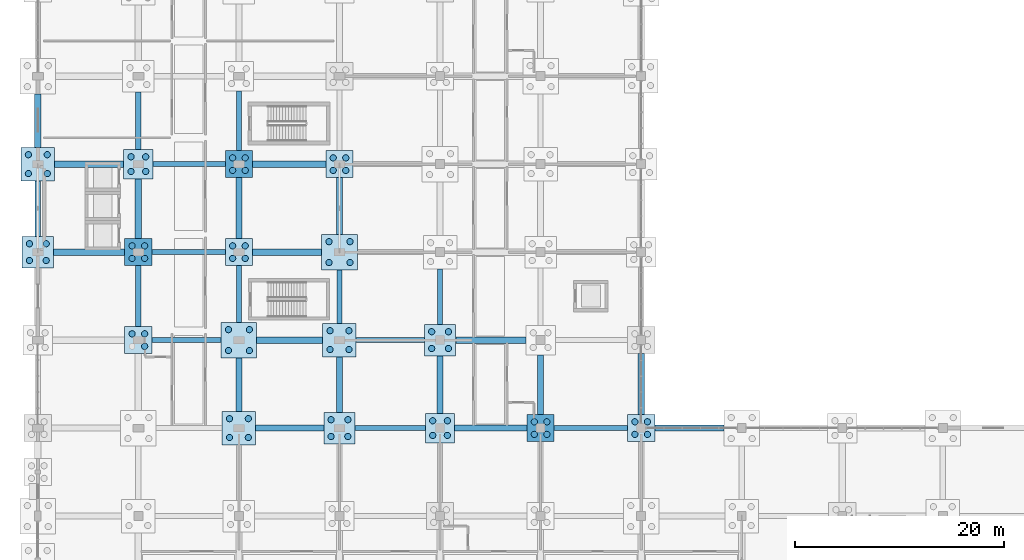
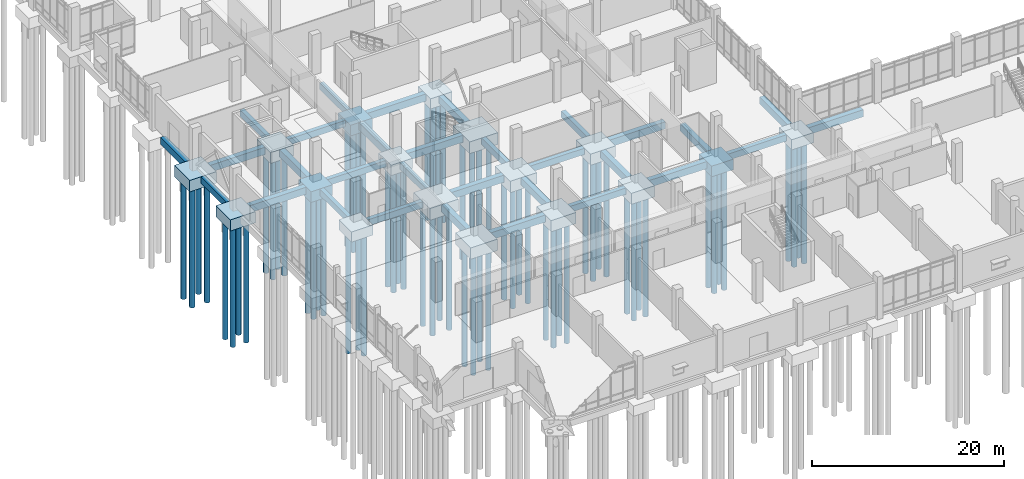
# One storey, part 3 of 136: 67 piles, 48 footings.
"""IFC4 building model written with IfcOpenShell, lengths in metres."""

from ifc_helpers import new_model, si_unit, direction, frame, origin, origin_2d, place, context, subcontext, project, spatial, rectangle, circle, extrude, material, material_profile, profile_set, type_object, element, save


model = new_model("IFC4")

# Units and contexts
model_context = context("Model", 3, precision=1e-05, world=origin(), true_north=direction((0.0, 1.0)))
body_context = subcontext(model_context, "Body", "Model", "MODEL_VIEW")
ifc_project = project(units=[si_unit("LENGTHUNIT", "METRE"), si_unit("AREAUNIT", "SQUARE_METRE"), si_unit("VOLUMEUNIT", "CUBIC_METRE"), si_unit("PLANEANGLEUNIT", "RADIAN"), si_unit("MASSUNIT", "GRAM", prefix="KILO")], contexts=[model_context])

# Site, building, storey
site_placement = place(None, origin())
site = spatial("IfcSite", under=ifc_project, at=site_placement, CompositionType="ELEMENT")
building_placement = place(site_placement, origin())
building = spatial("IfcBuilding", under=site, at=building_placement, Name="Oolite Switchyard Hospital", CompositionType="ELEMENT")
storey_placement = place(building_placement, origin())
storey = spatial("IfcBuildingStorey", under=building, at=storey_placement, Name="L00", CompositionType="ELEMENT", Elevation=0.0)

# Footings
ifc_material = material(Name="Concrete C40/50", Category="concrete")
footing_type_1 = type_object("IfcFootingType", Name="FTG-GB500X800", PredefinedType="FOOTING_BEAM", material=ifc_material)
footing_1_placement = place(storey_placement, frame((33.64990234375, 33.60009765625, -1.14990234375), z_axis=(0.0, 0.0, 1.0), x_axis=(1.0, 0.0, 0.0)))
element("IfcFooting", 1, at=footing_1_placement, inside=storey, type_object=footing_type_1, Name="L00 Grade Beam 60", PredefinedType="FOOTING_BEAM", context=body_context, shape_type="SweptSolid", body=[
    extrude(rectangle(XDim=6.699951171875, YDim=0.5, at=origin_2d()), origin(), (0.0, 0.0, 1.0), 0.800048828125),
])
footing_2_placement = place(storey_placement, frame((52.800048828125, 33.60009765625, -1.14990234375), z_axis=(0.0, 0.0, 1.0), x_axis=(1.0, 0.0, 0.0)))
element("IfcFooting", 2, at=footing_2_placement, inside=storey, type_object=footing_type_1, Name="L00 Grade Beam 62", PredefinedType="FOOTING_BEAM", context=body_context, shape_type="SweptSolid", body=[
    extrude(rectangle(XDim=7.0, YDim=0.5, at=origin_2d()), origin(), (0.0, 0.0, 1.0), 0.800048828125),
])
footing_3_placement = place(storey_placement, frame((14.199951171875, 42.0, -1.14990234375), z_axis=(0.0, 0.0, 1.0), x_axis=(1.0, 0.0, 0.0)))
element("IfcFooting", 3, at=footing_3_placement, inside=storey, type_object=footing_type_1, Name="L00 Grade Beam 74", PredefinedType="FOOTING_BEAM", context=body_context, shape_type="SweptSolid", body=[
    extrude(rectangle(XDim=6.60009765625, YDim=0.5, at=origin_2d()), origin(), (0.0, 0.0, 1.0), 0.800048828125),
])
footing_4_placement = place(storey_placement, frame((33.64990234375, 42.0, -1.14990234375), z_axis=(0.0, 0.0, 1.0), x_axis=(1.0, 0.0, 0.0)))
element("IfcFooting", 4, at=footing_4_placement, inside=storey, type_object=footing_type_1, Name="L00 Grade Beam 76", PredefinedType="FOOTING_BEAM", context=body_context, shape_type="SweptSolid", body=[
    extrude(rectangle(XDim=6.5, YDim=0.5, at=origin_2d()), origin(), (0.0, 0.0, 1.0), 0.800048828125),
])
footing_5_placement = place(storey_placement, frame((14.39990234375, 50.39990234375, -1.14990234375), z_axis=(0.0, 0.0, 1.0), x_axis=(1.0, 0.0, 0.0)))
element("IfcFooting", 5, at=footing_5_placement, inside=storey, type_object=footing_type_1, Name="L00 Grade Beam 84", PredefinedType="FOOTING_BEAM", context=body_context, shape_type="SweptSolid", body=[
    extrude(rectangle(XDim=7.0, YDim=0.5, at=origin_2d()), origin(), (0.0, 0.0, 1.0), 0.800048828125),
])
footing_6_placement = place(storey_placement, frame((14.449951171875, 58.800048828125, -1.14990234375), z_axis=(0.0, 0.0, 1.0), x_axis=(1.0, 0.0, 0.0)))
element("IfcFooting", 6, at=footing_6_placement, inside=storey, type_object=footing_type_1, Name="L00 Grade Beam 96", PredefinedType="FOOTING_BEAM", context=body_context, shape_type="SweptSolid", body=[
    extrude(rectangle(XDim=6.89990234375, YDim=0.5, at=origin_2d()), origin(), (0.0, 0.0, 1.0), 0.800048828125),
])
footing_7_placement = place(storey_placement, frame((0.0, 54.550048828125, -1.14990234375), z_axis=(0.0, 0.0, 1.0), x_axis=(0.0, 1.0, 0.0)))
element("IfcFooting", 7, at=footing_7_placement, inside=storey, type_object=footing_type_1, Name="L00 Grade Beam 271", PredefinedType="FOOTING_BEAM", context=body_context, shape_type="SweptSolid", body=[
    extrude(rectangle(XDim=5.300048828125, YDim=0.5, at=origin_2d()), origin(), (0.0, 0.0, 1.0), 0.800048828125),
])
footing_8_placement = place(storey_placement, frame((9.60009765625, 46.199951171875, -1.14990234375), z_axis=(0.0, 0.0, 1.0), x_axis=(0.0, 1.0, 0.0)))
element("IfcFooting", 8, at=footing_8_placement, inside=storey, type_object=footing_type_1, Name="L00 Grade Beam 285", PredefinedType="FOOTING_BEAM", context=body_context, shape_type="SweptSolid", body=[
    extrude(rectangle(XDim=5.800048828125, YDim=0.5, at=origin_2d()), origin(), (0.0, 0.0, 1.0), 0.800048828125),
])
footing_9_placement = place(storey_placement, frame((9.60009765625, 62.949951171875, -1.14990234375), z_axis=(0.0, 0.0, 1.0), x_axis=(0.0, 1.0, 0.0)))
element("IfcFooting", 9, at=footing_9_placement, inside=storey, type_object=footing_type_1, Name="L00 Grade Beam 287", PredefinedType="FOOTING_BEAM", context=body_context, shape_type="SweptSolid", body=[
    extrude(rectangle(XDim=5.5, YDim=0.5, at=origin_2d()), origin(), (0.0, 0.0, 1.0), 0.800048828125),
])
footing_10_placement = place(storey_placement, frame((19.199951171875, 46.39990234375, -1.14990234375), z_axis=(0.0, 0.0, 1.0), x_axis=(0.0, 1.0, 0.0)))
element("IfcFooting", 10, at=footing_10_placement, inside=storey, type_object=footing_type_1, Name="L00 Grade Beam 301", PredefinedType="FOOTING_BEAM", context=body_context, shape_type="SweptSolid", body=[
    extrude(rectangle(XDim=5.39990234375, YDim=0.5, at=origin_2d()), origin(), (0.0, 0.0, 1.0), 0.800048828125),
])
footing_11_placement = place(storey_placement, frame((19.199951171875, 62.949951171875, -1.14990234375), z_axis=(0.0, 0.0, 1.0), x_axis=(0.0, 1.0, 0.0)))
element("IfcFooting", 11, at=footing_11_placement, inside=storey, type_object=footing_type_1, Name="L00 Grade Beam 303", PredefinedType="FOOTING_BEAM", context=body_context, shape_type="SweptSolid", body=[
    extrude(rectangle(XDim=5.699951171875, YDim=0.5, at=origin_2d()), origin(), (0.0, 0.0, 1.0), 0.800048828125),
])
footing_12_placement = place(storey_placement, frame((28.800048828125, 46.14990234375, -1.14990234375), z_axis=(0.0, 0.0, 1.0), x_axis=(0.0, 1.0, 0.0)))
element("IfcFooting", 12, at=footing_12_placement, inside=storey, type_object=footing_type_1, Name="L00 Grade Beam 317", PredefinedType="FOOTING_BEAM", context=body_context, shape_type="SweptSolid", body=[
    extrude(rectangle(XDim=5.10009765625, YDim=0.5, at=origin_2d()), origin(), (0.0, 0.0, 1.0), 0.800048828125),
])
footing_13_placement = place(storey_placement, frame((38.39990234375, 46.14990234375, -1.14990234375), z_axis=(0.0, 0.0, 1.0), x_axis=(0.0, 1.0, 0.0)))
element("IfcFooting", 13, at=footing_13_placement, inside=storey, type_object=footing_type_1, Name="L00 Grade Beam 333", PredefinedType="FOOTING_BEAM", context=body_context, shape_type="SweptSolid", body=[
    extrude(rectangle(XDim=5.300048828125, YDim=0.5, at=origin_2d()), origin(), (0.0, 0.0, 1.0), 0.800048828125),
])
footing_type_2 = type_object("IfcFootingType", Name="FTG-GB600X900", PredefinedType="FOOTING_BEAM", material=ifc_material)
footing_14_placement = place(storey_placement, frame((24.050048828125, 33.60009765625, -1.25), z_axis=(0.0, 0.0, 1.0), x_axis=(1.0, 0.0, 0.0)))
element("IfcFooting", 14, at=footing_14_placement, inside=storey, type_object=footing_type_2, Name="L00 Grade Beam 59", PredefinedType="FOOTING_BEAM", context=body_context, shape_type="SweptSolid", body=[
    extrude(rectangle(XDim=6.5, YDim=0.60009765625, at=origin_2d()), origin(), (0.0, 0.0, 1.0), 0.89990234375),
])
footing_15_placement = place(storey_placement, frame((43.25, 33.60009765625, -1.25), z_axis=(0.0, 0.0, 1.0), x_axis=(1.0, 0.0, 0.0)))
element("IfcFooting", 15, at=footing_15_placement, inside=storey, type_object=footing_type_2, Name="L00 Grade Beam 61", PredefinedType="FOOTING_BEAM", context=body_context, shape_type="SweptSolid", body=[
    extrude(rectangle(XDim=6.89990234375, YDim=0.60009765625, at=origin_2d()), origin(), (0.0, 0.0, 1.0), 0.89990234375),
])
footing_16_placement = place(storey_placement, frame((62.199951171875, 33.60009765625, -1.25), z_axis=(0.0, 0.0, 1.0), x_axis=(1.0, 0.0, 0.0)))
element("IfcFooting", 16, at=footing_16_placement, inside=storey, type_object=footing_type_2, Name="L00 Grade Beam 63", PredefinedType="FOOTING_BEAM", context=body_context, shape_type="SweptSolid", body=[
    extrude(rectangle(XDim=6.60009765625, YDim=0.60009765625, at=origin_2d()), origin(), (0.0, 0.0, 1.0), 0.89990234375),
])
footing_17_placement = place(storey_placement, frame((24.050048828125, 42.0, -1.25), z_axis=(0.0, 0.0, 1.0), x_axis=(1.0, 0.0, 0.0)))
element("IfcFooting", 17, at=footing_17_placement, inside=storey, type_object=footing_type_2, Name="L00 Grade Beam 75", PredefinedType="FOOTING_BEAM", context=body_context, shape_type="SweptSolid", body=[
    extrude(rectangle(XDim=6.300048828125, YDim=0.60009765625, at=origin_2d()), origin(), (0.0, 0.0, 1.0), 0.89990234375),
])
footing_18_placement = place(storey_placement, frame((43.25, 42.0, -1.25), z_axis=(0.0, 0.0, 1.0), x_axis=(1.0, 0.0, 0.0)))
element("IfcFooting", 18, at=footing_18_placement, inside=storey, type_object=footing_type_2, Name="L00 Grade Beam 77", PredefinedType="FOOTING_BEAM", context=body_context, shape_type="SweptSolid", body=[
    extrude(rectangle(XDim=6.699951171875, YDim=0.60009765625, at=origin_2d()), origin(), (0.0, 0.0, 1.0), 0.89990234375),
])
footing_19_placement = place(storey_placement, frame((4.89990234375, 50.39990234375, -1.25), z_axis=(0.0, 0.0, 1.0), x_axis=(1.0, 0.0, 0.0)))
element("IfcFooting", 19, at=footing_19_placement, inside=storey, type_object=footing_type_2, Name="L00 Grade Beam 83", PredefinedType="FOOTING_BEAM", context=body_context, shape_type="SweptSolid", body=[
    extrude(rectangle(XDim=6.800048828125, YDim=0.60009765625, at=origin_2d()), origin(), (0.0, 0.0, 1.0), 0.89990234375),
])
for number, where, z_axis, x_axis, name in (
    (20, (23.800048828125, 50.39990234375, -1.25), (0.0, 0.0, 1.0), (1.0, 0.0, 0.0), "L00 Grade Beam 85"),
    (21, (4.89990234375, 58.800048828125, -1.25), (0.0, 0.0, 1.0), (1.0, 0.0, 0.0), "L00 Grade Beam 95"),
):
    element("IfcFooting", number, at=place(storey_placement, frame(where, z_axis=z_axis, x_axis=x_axis)), inside=storey, type_object=footing_type_2, Name=name, PredefinedType="FOOTING_BEAM", context=body_context, shape_type="SweptSolid", body=[
        extrude(rectangle(XDim=6.60009765625, YDim=0.60009765625, at=origin_2d()), origin(), (0.0, 0.0, 1.0), 0.89990234375),
    ])
footing_20_placement = place(storey_placement, frame((24.0, 58.800048828125, -1.25), z_axis=(0.0, 0.0, 1.0), x_axis=(1.0, 0.0, 0.0)))
element("IfcFooting", 22, at=footing_20_placement, inside=storey, type_object=footing_type_2, Name="L00 Grade Beam 97", PredefinedType="FOOTING_BEAM", context=body_context, shape_type="SweptSolid", body=[
    extrude(rectangle(XDim=7.0, YDim=0.60009765625, at=origin_2d()), origin(), (0.0, 0.0, 1.0), 0.89990234375),
])
footing_21_placement = place(storey_placement, frame((0.0, 62.949951171875, -1.25), z_axis=(0.0, 0.0, 1.0), x_axis=(0.0, 1.0, 0.0)))
element("IfcFooting", 23, at=footing_21_placement, inside=storey, type_object=footing_type_2, Name="L00 Grade Beam 272", PredefinedType="FOOTING_BEAM", context=body_context, shape_type="SweptSolid", body=[
    extrude(rectangle(XDim=5.10009765625, YDim=0.60009765625, at=origin_2d()), origin(), (0.0, 0.0, 1.0), 0.89990234375),
])
footing_22_placement = place(storey_placement, frame((9.60009765625, 54.550048828125, -1.25), z_axis=(0.0, 0.0, 1.0), x_axis=(0.0, 1.0, 0.0)))
element("IfcFooting", 24, at=footing_22_placement, inside=storey, type_object=footing_type_2, Name="L00 Grade Beam 286", PredefinedType="FOOTING_BEAM", context=body_context, shape_type="SweptSolid", body=[
    extrude(rectangle(XDim=5.699951171875, YDim=0.60009765625, at=origin_2d()), origin(), (0.0, 0.0, 1.0), 0.89990234375),
])
footing_23_placement = place(storey_placement, frame((19.199951171875, 37.75, -1.25), z_axis=(0.0, 0.0, 1.0), x_axis=(0.0, 1.0, 0.0)))
element("IfcFooting", 25, at=footing_23_placement, inside=storey, type_object=footing_type_2, Name="L00 Grade Beam 300", PredefinedType="FOOTING_BEAM", context=body_context, shape_type="SweptSolid", body=[
    extrude(rectangle(XDim=5.10009765625, YDim=0.60009765625, at=origin_2d()), origin(), (0.0, 0.0, 1.0), 0.89990234375),
])
footing_24_placement = place(storey_placement, frame((19.199951171875, 54.60009765625, -1.25), z_axis=(0.0, 0.0, 1.0), x_axis=(0.0, 1.0, 0.0)))
element("IfcFooting", 26, at=footing_24_placement, inside=storey, type_object=footing_type_2, Name="L00 Grade Beam 302", PredefinedType="FOOTING_BEAM", context=body_context, shape_type="SweptSolid", body=[
    extrude(rectangle(XDim=5.800048828125, YDim=0.60009765625, at=origin_2d()), origin(), (0.0, 0.0, 1.0), 0.89990234375),
])
footing_25_placement = place(storey_placement, frame((28.800048828125, 37.75, -1.25), z_axis=(0.0, 0.0, 1.0), x_axis=(0.0, 1.0, 0.0)))
element("IfcFooting", 27, at=footing_25_placement, inside=storey, type_object=footing_type_2, Name="L00 Grade Beam 316", PredefinedType="FOOTING_BEAM", context=body_context, shape_type="SweptSolid", body=[
    extrude(rectangle(XDim=5.300048828125, YDim=0.60009765625, at=origin_2d()), origin(), (0.0, 0.0, 1.0), 0.89990234375),
])
footing_26_placement = place(storey_placement, frame((28.800048828125, 54.800048828125, -1.25), z_axis=(0.0, 0.0, 1.0), x_axis=(0.0, 1.0, 0.0)))
element("IfcFooting", 28, at=footing_26_placement, inside=storey, type_object=footing_type_2, Name="L00 Grade Beam 318", PredefinedType="FOOTING_BEAM", context=body_context, shape_type="SweptSolid", body=[
    extrude(rectangle(XDim=5.39990234375, YDim=0.60009765625, at=origin_2d()), origin(), (0.0, 0.0, 1.0), 0.89990234375),
])
footing_27_placement = place(storey_placement, frame((38.39990234375, 37.75, -1.25), z_axis=(0.0, 0.0, 1.0), x_axis=(0.0, 1.0, 0.0)))
element("IfcFooting", 29, at=footing_27_placement, inside=storey, type_object=footing_type_2, Name="L00 Grade Beam 332", PredefinedType="FOOTING_BEAM", context=body_context, shape_type="SweptSolid", body=[
    extrude(rectangle(XDim=5.5, YDim=0.60009765625, at=origin_2d()), origin(), (0.0, 0.0, 1.0), 0.89990234375),
])
footing_28_placement = place(storey_placement, frame((48.0, 37.75, -1.25), z_axis=(0.0, 0.0, 1.0), x_axis=(0.0, 1.0, 0.0)))
element("IfcFooting", 30, at=footing_28_placement, inside=storey, type_object=footing_type_2, Name="L00 Grade Beam 348", PredefinedType="FOOTING_BEAM", context=body_context, shape_type="SweptSolid", body=[
    extrude(rectangle(XDim=5.699951171875, YDim=0.60009765625, at=origin_2d()), origin(), (0.0, 0.0, 1.0), 0.89990234375),
])
footing_29_placement = place(storey_placement, frame((57.60009765625, 37.800048828125, -1.25), z_axis=(0.0, 0.0, 1.0), x_axis=(0.0, 1.0, 0.0)))
element("IfcFooting", 31, at=footing_29_placement, inside=storey, type_object=footing_type_2, Name="L00 Grade Beam 364", PredefinedType="FOOTING_BEAM", context=body_context, shape_type="SweptSolid", body=[
    extrude(rectangle(XDim=5.800048828125, YDim=0.60009765625, at=origin_2d()), origin(), (0.0, 0.0, 1.0), 0.89990234375),
])
footing_type_3 = type_object("IfcFootingType", Name="FTG-PC24", PredefinedType="PILE_CAP", material=ifc_material)
for number, where, z_axis, x_axis, name in (
    (32, (9.60009765625, 42.0, -1.64990234375), (0.0, 0.0, 1.0), (1.0, 0.0, 0.0), "L00 Multi-Pile Cap 25"),
    (33, (19.199951171875, 50.39990234375, -1.64990234375), (0.0, 0.0, 1.0), (1.0, 0.0, 0.0), "L00 Multi-Pile Cap 43"),
    (34, (28.800048828125, 58.800048828125, -1.64990234375), (0.0, 0.0, 1.0), (1.0, 0.0, 0.0), "L00 Multi-Pile Cap 61"),
    (35, (57.60009765625, 33.60009765625, -1.64990234375), (0.0, 0.0, 1.0), (1.0, 0.0, 0.0), "L00 Multi-Pile Cap 109"),
):
    element("IfcFooting", number, at=place(storey_placement, frame(where, z_axis=z_axis, x_axis=x_axis)), inside=storey, type_object=footing_type_3, Name=name, PredefinedType="PILE_CAP", context=body_context, shape_type="SweptSolid", body=[
        extrude(rectangle(XDim=2.60009765625, YDim=2.60009765625, at=origin_2d()), origin(), (0.0, 0.0, 1.0), 1.300048828125),
    ])
footing_type_4 = type_object("IfcFootingType", Name="FTG-PC26", PredefinedType="PILE_CAP", material=ifc_material)
for number, where, z_axis, x_axis, name in (
    (36, (9.60009765625, 50.39990234375, -1.699951171875), (0.0, 0.0, 1.0), (1.0, 0.0, 0.0), "L00 Multi-Pile Cap 26"),
    (37, (19.199951171875, 58.800048828125, -1.699951171875), (0.0, 0.0, 1.0), (1.0, 0.0, 0.0), "L00 Multi-Pile Cap 44"),
    (38, (48.0, 33.60009765625, -1.699951171875), (0.0, 0.0, 1.0), (1.0, 0.0, 0.0), "L00 Multi-Pile Cap 92"),
):
    element("IfcFooting", number, at=place(storey_placement, frame(where, z_axis=z_axis, x_axis=x_axis)), inside=storey, type_object=footing_type_4, Name=name, PredefinedType="PILE_CAP", context=body_context, shape_type="SweptSolid", body=[
        extrude(rectangle(XDim=2.60009765625, YDim=2.60009765625, at=origin_2d()), origin(), (0.0, 0.0, 1.0), 1.35009765625),
    ])
footing_type_5 = type_object("IfcFootingType", Name="FTG-PC28", PredefinedType="PILE_CAP", material=ifc_material)
for number, where, z_axis, x_axis, name in (
    (39, (9.60009765625, 58.800048828125, -1.75), (0.0, 0.0, 1.0), (1.0, 0.0, 0.0), "L00 Multi-Pile Cap 27"),
    (40, (38.39990234375, 33.60009765625, -1.75), (0.0, 0.0, 1.0), (1.0, 0.0, 0.0), "L00 Multi-Pile Cap 75"),
):
    element("IfcFooting", number, at=place(storey_placement, frame(where, z_axis=z_axis, x_axis=x_axis)), inside=storey, type_object=footing_type_5, Name=name, PredefinedType="PILE_CAP", context=body_context, shape_type="SweptSolid", body=[
        extrude(rectangle(XDim=2.800048828125, YDim=2.800048828125, at=origin_2d()), origin(), (0.0, 0.0, 1.0), 1.39990234375),
    ])
footing_type_6 = type_object("IfcFootingType", Name="FTG-PC30", PredefinedType="PILE_CAP", material=ifc_material)
for number, where, z_axis, x_axis, name in (
    (41, (0.0, 50.39990234375, -1.77001953125), (0.0, 0.0, 1.0), (1.0, 0.0, 0.0), "L00 Multi-Pile Cap 10"),
    (42, (28.800048828125, 33.60009765625, -1.77001953125), (0.0, 0.0, 1.0), (1.0, 0.0, 0.0), "L00 Multi-Pile Cap 58"),
    (43, (38.39990234375, 42.0, -1.77001953125), (0.0, 0.0, 1.0), (1.0, 0.0, 0.0), "L00 Multi-Pile Cap 76"),
):
    element("IfcFooting", number, at=place(storey_placement, frame(where, z_axis=z_axis, x_axis=x_axis)), inside=storey, type_object=footing_type_6, Name=name, PredefinedType="PILE_CAP", context=body_context, shape_type="SweptSolid", body=[
        extrude(rectangle(XDim=3.0, YDim=3.0, at=origin_2d()), origin(), (0.0, 0.0, 1.0), 1.419921875),
    ])
footing_type_7 = type_object("IfcFootingType", Name="FTG-PC32", PredefinedType="PILE_CAP", material=ifc_material)
for number, where, z_axis, x_axis, name in (
    (44, (0.0, 58.800048828125, -1.7998046875), (0.0, 0.0, 1.0), (1.0, 0.0, 0.0), "L00 Multi-Pile Cap 11"),
    (45, (19.199951171875, 33.60009765625, -1.7998046875), (0.0, 0.0, 1.0), (1.0, 0.0, 0.0), "L00 Multi-Pile Cap 41"),
    (46, (28.800048828125, 42.0, -1.7998046875), (0.0, 0.0, 1.0), (1.0, 0.0, 0.0), "L00 Multi-Pile Cap 59"),
):
    element("IfcFooting", number, at=place(storey_placement, frame(where, z_axis=z_axis, x_axis=x_axis)), inside=storey, type_object=footing_type_7, Name=name, PredefinedType="PILE_CAP", context=body_context, shape_type="SweptSolid", body=[
        extrude(rectangle(XDim=3.199951171875, YDim=3.199951171875, at=origin_2d()), origin(), (0.0, 0.0, 1.0), 1.449951171875),
    ])
footing_type_8 = type_object("IfcFootingType", Name="FTG-PC34", PredefinedType="PILE_CAP", material=ifc_material)
for number, where, z_axis, x_axis, name in (
    (47, (19.199951171875, 42.0, -1.85009765625), (0.0, 0.0, 1.0), (1.0, 0.0, 0.0), "L00 Multi-Pile Cap 42"),
    (48, (28.800048828125, 50.39990234375, -1.85009765625), (0.0, 0.0, 1.0), (1.0, 0.0, 0.0), "L00 Multi-Pile Cap 60"),
):
    element("IfcFooting", number, at=place(storey_placement, frame(where, z_axis=z_axis, x_axis=x_axis)), inside=storey, type_object=footing_type_8, Name=name, PredefinedType="PILE_CAP", context=body_context, shape_type="SweptSolid", body=[
        extrude(rectangle(XDim=3.39990234375, YDim=3.39990234375, at=origin_2d()), origin(), (0.0, 0.0, 1.0), 1.5),
    ])

# Piles
ifc_material_profile = material_profile(ifc_material, circle(Radius=0.300048828125, at=origin_2d()), Name="PILE600")
ifc_profile_set = profile_set([ifc_material_profile], Name="Concrete C40/50")
pile_type = type_object("IfcPileType", Name="PILE-ACIP600", PredefinedType="BORED", material=ifc_profile_set)
for number, where, z_axis, x_axis, name in (
    (49, (-0.800048828125, 49.60009765625, -1.6201171875), (0.0, 0.0, -1.0), (1.0, 0.0, 0.0), "Augercast Pile 37"),
    (50, (0.800048828125, 49.60009765625, -1.6201171875), (0.0, 0.0, -1.0), (1.0, 0.0, 0.0), "Augercast Pile 38"),
    (51, (-0.800048828125, 51.199951171875, -1.6201171875), (0.0, 0.0, -1.0), (1.0, 0.0, 0.0), "Augercast Pile 39"),
    (52, (0.800048828125, 51.199951171875, -1.6201171875), (0.0, 0.0, -1.0), (1.0, 0.0, 0.0), "Augercast Pile 40"),
):
    element("IfcPile", number, at=place(storey_placement, frame(where, z_axis=z_axis, x_axis=x_axis)), inside=storey, type_object=pile_type, Name=name, PredefinedType="BORED", context=body_context, shape_type="SweptSolid", body=[
        extrude(circle(Radius=0.300048828125, at=origin_2d()), origin(), (0.0, 0.0, 1.0), 15.3798828125),
    ])
for number, where, z_axis, x_axis, name in (
    (53, (-0.89990234375, 57.89990234375, -1.64990234375), (0.0, 0.0, -1.0), (1.0, 0.0, 0.0), "Augercast Pile 41"),
    (54, (0.89990234375, 57.89990234375, -1.64990234375), (0.0, 0.0, -1.0), (1.0, 0.0, 0.0), "Augercast Pile 42"),
    (55, (-0.89990234375, 59.699951171875, -1.64990234375), (0.0, 0.0, -1.0), (1.0, 0.0, 0.0), "Augercast Pile 43"),
    (56, (0.89990234375, 59.699951171875, -1.64990234375), (0.0, 0.0, -1.0), (1.0, 0.0, 0.0), "Augercast Pile 44"),
):
    element("IfcPile", number, at=place(storey_placement, frame(where, z_axis=z_axis, x_axis=x_axis)), inside=storey, type_object=pile_type, Name=name, PredefinedType="BORED", context=body_context, shape_type="SweptSolid", body=[
        extrude(circle(Radius=0.300048828125, at=origin_2d()), origin(), (0.0, 0.0, 1.0), 15.35009765625),
    ])
for number, where, z_axis, x_axis, name in (
    (57, (10.199951171875, 41.39990234375, -1.5), (0.0, 0.0, -1.0), (1.0, 0.0, 0.0), "Augercast Pile 98"),
    (58, (9.0, 42.60009765625, -1.5), (0.0, 0.0, -1.0), (1.0, 0.0, 0.0), "Augercast Pile 99"),
    (59, (10.199951171875, 42.60009765625, -1.5), (0.0, 0.0, -1.0), (1.0, 0.0, 0.0), "Augercast Pile 100"),
):
    element("IfcPile", number, at=place(storey_placement, frame(where, z_axis=z_axis, x_axis=x_axis)), inside=storey, type_object=pile_type, Name=name, PredefinedType="BORED", context=body_context, shape_type="SweptSolid", body=[
        extrude(circle(Radius=0.300048828125, at=origin_2d()), origin(), (0.0, 0.0, 1.0), 15.5),
    ])
for number, where, z_axis, x_axis, name in (
    (60, (9.0, 49.800048828125, -1.550048828125), (0.0, 0.0, -1.0), (1.0, 0.0, 0.0), "Augercast Pile 101"),
    (61, (10.199951171875, 49.800048828125, -1.550048828125), (0.0, 0.0, -1.0), (1.0, 0.0, 0.0), "Augercast Pile 102"),
    (62, (9.0, 51.0, -1.550048828125), (0.0, 0.0, -1.0), (1.0, 0.0, 0.0), "Augercast Pile 103"),
    (63, (10.199951171875, 51.0, -1.550048828125), (0.0, 0.0, -1.0), (1.0, 0.0, 0.0), "Augercast Pile 104"),
):
    element("IfcPile", number, at=place(storey_placement, frame(where, z_axis=z_axis, x_axis=x_axis)), inside=storey, type_object=pile_type, Name=name, PredefinedType="BORED", context=body_context, shape_type="SweptSolid", body=[
        extrude(circle(Radius=0.300048828125, at=origin_2d()), origin(), (0.0, 0.0, 1.0), 15.449951171875),
    ])
for number, where, z_axis, x_axis, name in (
    (64, (8.89990234375, 58.10009765625, -1.60009765625), (0.0, 0.0, -1.0), (1.0, 0.0, 0.0), "Augercast Pile 105"),
    (65, (10.300048828125, 58.10009765625, -1.60009765625), (0.0, 0.0, -1.0), (1.0, 0.0, 0.0), "Augercast Pile 106"),
    (66, (8.89990234375, 59.5, -1.60009765625), (0.0, 0.0, -1.0), (1.0, 0.0, 0.0), "Augercast Pile 107"),
    (67, (10.300048828125, 59.5, -1.60009765625), (0.0, 0.0, -1.0), (1.0, 0.0, 0.0), "Augercast Pile 108"),
):
    element("IfcPile", number, at=place(storey_placement, frame(where, z_axis=z_axis, x_axis=x_axis)), inside=storey, type_object=pile_type, Name=name, PredefinedType="BORED", context=body_context, shape_type="SweptSolid", body=[
        extrude(circle(Radius=0.300048828125, at=origin_2d()), origin(), (0.0, 0.0, 1.0), 15.39990234375),
    ])
for number, where, z_axis, x_axis, name in (
    (68, (18.300048828125, 32.699951171875, -1.64990234375), (0.0, 0.0, -1.0), (1.0, 0.0, 0.0), "Augercast Pile 161"),
    (69, (20.10009765625, 32.699951171875, -1.64990234375), (0.0, 0.0, -1.0), (1.0, 0.0, 0.0), "Augercast Pile 162"),
    (70, (18.300048828125, 34.5, -1.64990234375), (0.0, 0.0, -1.0), (1.0, 0.0, 0.0), "Augercast Pile 163"),
    (71, (20.10009765625, 34.5, -1.64990234375), (0.0, 0.0, -1.0), (1.0, 0.0, 0.0), "Augercast Pile 164"),
):
    element("IfcPile", number, at=place(storey_placement, frame(where, z_axis=z_axis, x_axis=x_axis)), inside=storey, type_object=pile_type, Name=name, PredefinedType="BORED", context=body_context, shape_type="SweptSolid", body=[
        extrude(circle(Radius=0.300048828125, at=origin_2d()), origin(), (0.0, 0.0, 1.0), 15.35009765625),
    ])
for number, where, z_axis, x_axis, name in (
    (72, (18.199951171875, 41.0, -1.699951171875), (0.0, 0.0, -1.0), (1.0, 0.0, 0.0), "Augercast Pile 165"),
    (73, (20.199951171875, 41.0, -1.699951171875), (0.0, 0.0, -1.0), (1.0, 0.0, 0.0), "Augercast Pile 166"),
    (74, (18.199951171875, 43.0, -1.699951171875), (0.0, 0.0, -1.0), (1.0, 0.0, 0.0), "Augercast Pile 167"),
    (75, (20.199951171875, 43.0, -1.699951171875), (0.0, 0.0, -1.0), (1.0, 0.0, 0.0), "Augercast Pile 168"),
):
    element("IfcPile", number, at=place(storey_placement, frame(where, z_axis=z_axis, x_axis=x_axis)), inside=storey, type_object=pile_type, Name=name, PredefinedType="BORED", context=body_context, shape_type="SweptSolid", body=[
        extrude(circle(Radius=0.300048828125, at=origin_2d()), origin(), (0.0, 0.0, 1.0), 15.300048828125),
    ])
for number, where, z_axis, x_axis, name in (
    (76, (18.60009765625, 49.800048828125, -1.5), (0.0, 0.0, -1.0), (1.0, 0.0, 0.0), "Augercast Pile 169"),
    (77, (19.800048828125, 49.800048828125, -1.5), (0.0, 0.0, -1.0), (1.0, 0.0, 0.0), "Augercast Pile 170"),
    (78, (18.60009765625, 51.0, -1.5), (0.0, 0.0, -1.0), (1.0, 0.0, 0.0), "Augercast Pile 171"),
    (79, (19.800048828125, 51.0, -1.5), (0.0, 0.0, -1.0), (1.0, 0.0, 0.0), "Augercast Pile 172"),
):
    element("IfcPile", number, at=place(storey_placement, frame(where, z_axis=z_axis, x_axis=x_axis)), inside=storey, type_object=pile_type, Name=name, PredefinedType="BORED", context=body_context, shape_type="SweptSolid", body=[
        extrude(circle(Radius=0.300048828125, at=origin_2d()), origin(), (0.0, 0.0, 1.0), 15.5),
    ])
for number, where, z_axis, x_axis, name in (
    (80, (18.60009765625, 58.199951171875, -1.550048828125), (0.0, 0.0, -1.0), (1.0, 0.0, 0.0), "Augercast Pile 173"),
    (81, (19.800048828125, 58.199951171875, -1.550048828125), (0.0, 0.0, -1.0), (1.0, 0.0, 0.0), "Augercast Pile 174"),
    (82, (18.60009765625, 59.39990234375, -1.550048828125), (0.0, 0.0, -1.0), (1.0, 0.0, 0.0), "Augercast Pile 175"),
    (83, (19.800048828125, 59.39990234375, -1.550048828125), (0.0, 0.0, -1.0), (1.0, 0.0, 0.0), "Augercast Pile 176"),
):
    element("IfcPile", number, at=place(storey_placement, frame(where, z_axis=z_axis, x_axis=x_axis)), inside=storey, type_object=pile_type, Name=name, PredefinedType="BORED", context=body_context, shape_type="SweptSolid", body=[
        extrude(circle(Radius=0.300048828125, at=origin_2d()), origin(), (0.0, 0.0, 1.0), 15.449951171875),
    ])
for number, where, z_axis, x_axis, name in (
    (84, (28.0, 32.800048828125, -1.6201171875), (0.0, 0.0, -1.0), (1.0, 0.0, 0.0), "Augercast Pile 229"),
    (85, (29.60009765625, 32.800048828125, -1.6201171875), (0.0, 0.0, -1.0), (1.0, 0.0, 0.0), "Augercast Pile 230"),
    (86, (28.0, 34.39990234375, -1.6201171875), (0.0, 0.0, -1.0), (1.0, 0.0, 0.0), "Augercast Pile 231"),
    (87, (29.60009765625, 34.39990234375, -1.6201171875), (0.0, 0.0, -1.0), (1.0, 0.0, 0.0), "Augercast Pile 232"),
):
    element("IfcPile", number, at=place(storey_placement, frame(where, z_axis=z_axis, x_axis=x_axis)), inside=storey, type_object=pile_type, Name=name, PredefinedType="BORED", context=body_context, shape_type="SweptSolid", body=[
        extrude(circle(Radius=0.300048828125, at=origin_2d()), origin(), (0.0, 0.0, 1.0), 15.3798828125),
    ])
for number, where, z_axis, x_axis, name in (
    (88, (27.89990234375, 41.10009765625, -1.64990234375), (0.0, 0.0, -1.0), (1.0, 0.0, 0.0), "Augercast Pile 233"),
    (89, (29.699951171875, 41.10009765625, -1.64990234375), (0.0, 0.0, -1.0), (1.0, 0.0, 0.0), "Augercast Pile 234"),
    (90, (27.89990234375, 42.89990234375, -1.64990234375), (0.0, 0.0, -1.0), (1.0, 0.0, 0.0), "Augercast Pile 235"),
    (91, (29.699951171875, 42.89990234375, -1.64990234375), (0.0, 0.0, -1.0), (1.0, 0.0, 0.0), "Augercast Pile 236"),
):
    element("IfcPile", number, at=place(storey_placement, frame(where, z_axis=z_axis, x_axis=x_axis)), inside=storey, type_object=pile_type, Name=name, PredefinedType="BORED", context=body_context, shape_type="SweptSolid", body=[
        extrude(circle(Radius=0.300048828125, at=origin_2d()), origin(), (0.0, 0.0, 1.0), 15.35009765625),
    ])
for number, where, z_axis, x_axis, name in (
    (92, (27.800048828125, 49.39990234375, -1.699951171875), (0.0, 0.0, -1.0), (1.0, 0.0, 0.0), "Augercast Pile 237"),
    (93, (29.800048828125, 49.39990234375, -1.699951171875), (0.0, 0.0, -1.0), (1.0, 0.0, 0.0), "Augercast Pile 238"),
    (94, (27.800048828125, 51.39990234375, -1.699951171875), (0.0, 0.0, -1.0), (1.0, 0.0, 0.0), "Augercast Pile 239"),
    (95, (29.800048828125, 51.39990234375, -1.699951171875), (0.0, 0.0, -1.0), (1.0, 0.0, 0.0), "Augercast Pile 240"),
):
    element("IfcPile", number, at=place(storey_placement, frame(where, z_axis=z_axis, x_axis=x_axis)), inside=storey, type_object=pile_type, Name=name, PredefinedType="BORED", context=body_context, shape_type="SweptSolid", body=[
        extrude(circle(Radius=0.300048828125, at=origin_2d()), origin(), (0.0, 0.0, 1.0), 15.300048828125),
    ])
for number, where, z_axis, x_axis, name in (
    (96, (28.199951171875, 58.199951171875, -1.5), (0.0, 0.0, -1.0), (1.0, 0.0, 0.0), "Augercast Pile 241"),
    (97, (29.39990234375, 58.199951171875, -1.5), (0.0, 0.0, -1.0), (1.0, 0.0, 0.0), "Augercast Pile 242"),
    (98, (28.199951171875, 59.39990234375, -1.5), (0.0, 0.0, -1.0), (1.0, 0.0, 0.0), "Augercast Pile 243"),
    (99, (29.39990234375, 59.39990234375, -1.5), (0.0, 0.0, -1.0), (1.0, 0.0, 0.0), "Augercast Pile 244"),
):
    element("IfcPile", number, at=place(storey_placement, frame(where, z_axis=z_axis, x_axis=x_axis)), inside=storey, type_object=pile_type, Name=name, PredefinedType="BORED", context=body_context, shape_type="SweptSolid", body=[
        extrude(circle(Radius=0.300048828125, at=origin_2d()), origin(), (0.0, 0.0, 1.0), 15.5),
    ])
for number, where, z_axis, x_axis, name in (
    (100, (37.699951171875, 32.89990234375, -1.60009765625), (0.0, 0.0, -1.0), (1.0, 0.0, 0.0), "Augercast Pile 297"),
    (101, (39.10009765625, 32.89990234375, -1.60009765625), (0.0, 0.0, -1.0), (1.0, 0.0, 0.0), "Augercast Pile 298"),
    (102, (37.699951171875, 34.300048828125, -1.60009765625), (0.0, 0.0, -1.0), (1.0, 0.0, 0.0), "Augercast Pile 299"),
    (103, (39.10009765625, 34.300048828125, -1.60009765625), (0.0, 0.0, -1.0), (1.0, 0.0, 0.0), "Augercast Pile 300"),
):
    element("IfcPile", number, at=place(storey_placement, frame(where, z_axis=z_axis, x_axis=x_axis)), inside=storey, type_object=pile_type, Name=name, PredefinedType="BORED", context=body_context, shape_type="SweptSolid", body=[
        extrude(circle(Radius=0.300048828125, at=origin_2d()), origin(), (0.0, 0.0, 1.0), 15.39990234375),
    ])
for number, where, z_axis, x_axis, name in (
    (104, (37.60009765625, 41.199951171875, -1.6201171875), (0.0, 0.0, -1.0), (1.0, 0.0, 0.0), "Augercast Pile 301"),
    (105, (39.199951171875, 41.199951171875, -1.6201171875), (0.0, 0.0, -1.0), (1.0, 0.0, 0.0), "Augercast Pile 302"),
    (106, (37.60009765625, 42.800048828125, -1.6201171875), (0.0, 0.0, -1.0), (1.0, 0.0, 0.0), "Augercast Pile 303"),
    (107, (39.199951171875, 42.800048828125, -1.6201171875), (0.0, 0.0, -1.0), (1.0, 0.0, 0.0), "Augercast Pile 304"),
):
    element("IfcPile", number, at=place(storey_placement, frame(where, z_axis=z_axis, x_axis=x_axis)), inside=storey, type_object=pile_type, Name=name, PredefinedType="BORED", context=body_context, shape_type="SweptSolid", body=[
        extrude(circle(Radius=0.300048828125, at=origin_2d()), origin(), (0.0, 0.0, 1.0), 15.3798828125),
    ])
for number, where, z_axis, x_axis, name in (
    (108, (47.39990234375, 33.0, -1.550048828125), (0.0, 0.0, -1.0), (1.0, 0.0, 0.0), "Augercast Pile 365"),
    (109, (48.60009765625, 33.0, -1.550048828125), (0.0, 0.0, -1.0), (1.0, 0.0, 0.0), "Augercast Pile 366"),
    (110, (47.39990234375, 34.199951171875, -1.550048828125), (0.0, 0.0, -1.0), (1.0, 0.0, 0.0), "Augercast Pile 367"),
    (111, (48.60009765625, 34.199951171875, -1.550048828125), (0.0, 0.0, -1.0), (1.0, 0.0, 0.0), "Augercast Pile 368"),
):
    element("IfcPile", number, at=place(storey_placement, frame(where, z_axis=z_axis, x_axis=x_axis)), inside=storey, type_object=pile_type, Name=name, PredefinedType="BORED", context=body_context, shape_type="SweptSolid", body=[
        extrude(circle(Radius=0.300048828125, at=origin_2d()), origin(), (0.0, 0.0, 1.0), 15.449951171875),
    ])
for number, where, z_axis, x_axis, name in (
    (112, (57.0, 33.0, -1.5), (0.0, 0.0, -1.0), (1.0, 0.0, 0.0), "Augercast Pile 433"),
    (113, (58.199951171875, 33.0, -1.5), (0.0, 0.0, -1.0), (1.0, 0.0, 0.0), "Augercast Pile 434"),
    (114, (57.0, 34.199951171875, -1.5), (0.0, 0.0, -1.0), (1.0, 0.0, 0.0), "Augercast Pile 435"),
    (115, (58.199951171875, 34.199951171875, -1.5), (0.0, 0.0, -1.0), (1.0, 0.0, 0.0), "Augercast Pile 436"),
):
    element("IfcPile", number, at=place(storey_placement, frame(where, z_axis=z_axis, x_axis=x_axis)), inside=storey, type_object=pile_type, Name=name, PredefinedType="BORED", context=body_context, shape_type="SweptSolid", body=[
        extrude(circle(Radius=0.300048828125, at=origin_2d()), origin(), (0.0, 0.0, 1.0), 15.5),
    ])

save(model, "model.ifc")
